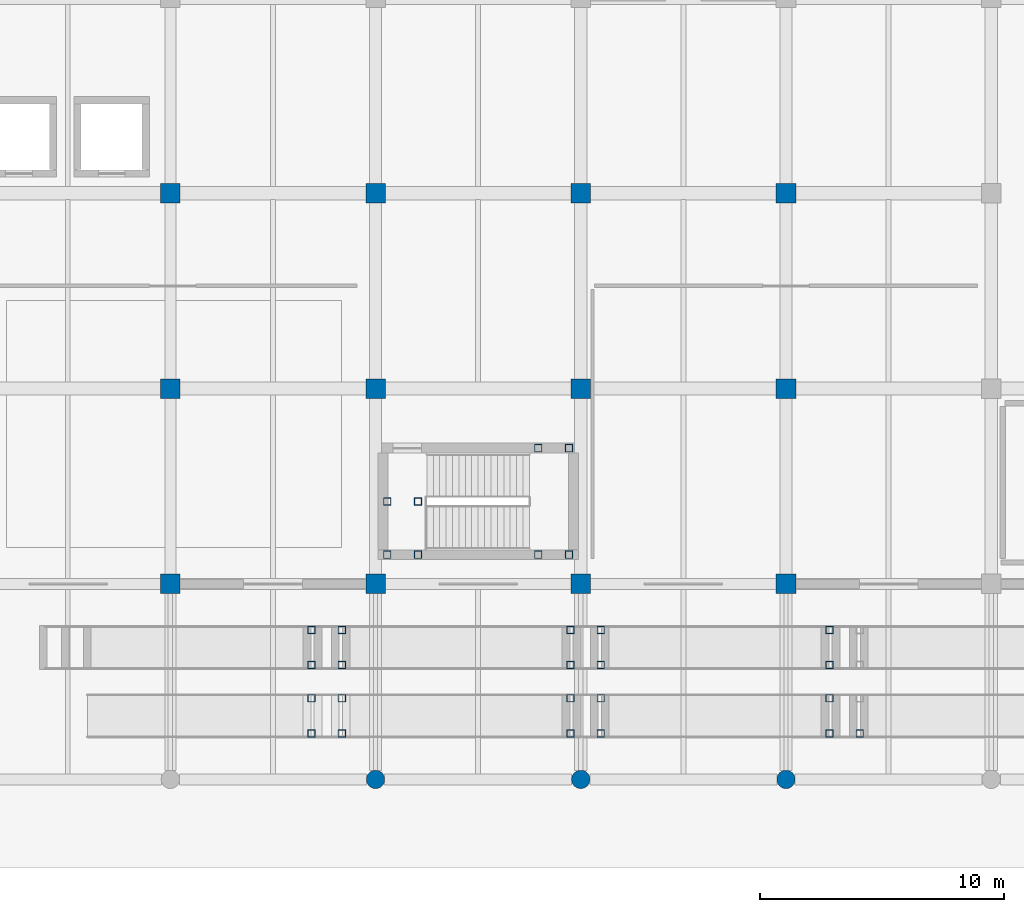
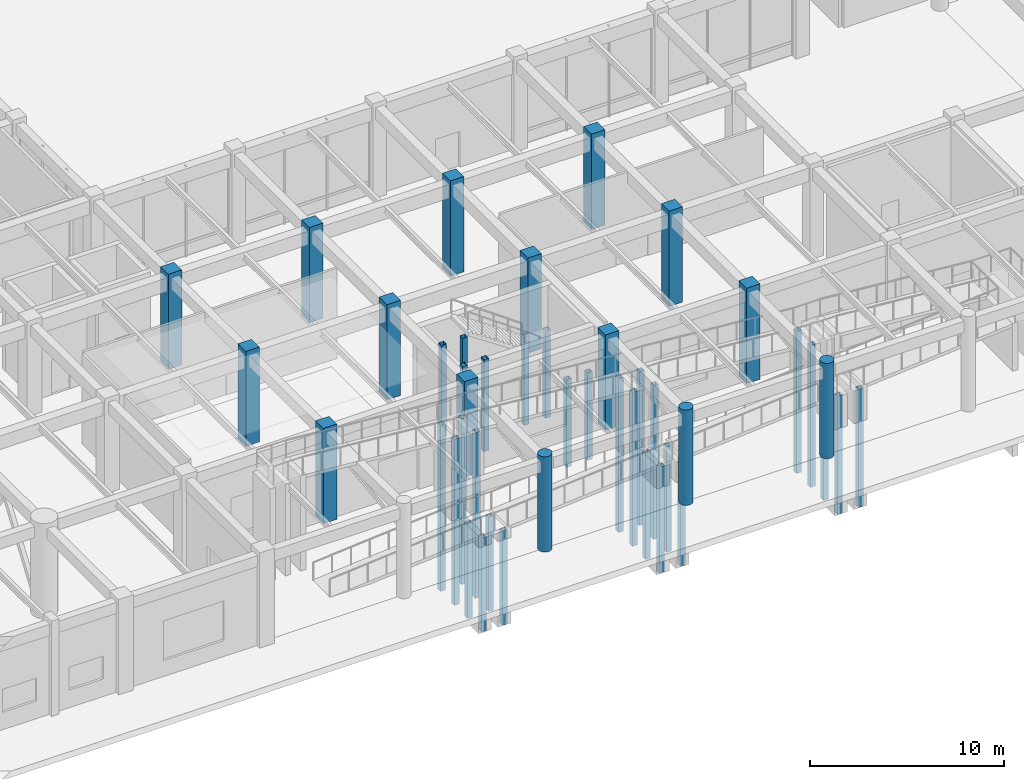
# One storey, part 5 of 76: 44 columns.
"""IFC4 building model written with IfcOpenShell, lengths in metres."""

from ifc_helpers import new_model, si_unit, direction, frame, origin, origin_2d, place, context, subcontext, project, spatial, rectangle, hollow_rectangle, circle, extrude, material, material_profile, profile_set, type_object, element, save


model = new_model("IFC4")

# Units and contexts
model_context = context("Model", 3, precision=1e-05, world=origin(), true_north=direction((0.0, 1.0)))
body_context = subcontext(model_context, "Body", "Model", "MODEL_VIEW")
ifc_project = project(units=[si_unit("LENGTHUNIT", "METRE"), si_unit("AREAUNIT", "SQUARE_METRE"), si_unit("VOLUMEUNIT", "CUBIC_METRE"), si_unit("PLANEANGLEUNIT", "RADIAN"), si_unit("MASSUNIT", "GRAM", prefix="KILO")], contexts=[model_context])

# Site, building, storey
site_placement = place(None, origin())
site = spatial("IfcSite", under=ifc_project, at=site_placement, CompositionType="ELEMENT")
building_placement = place(site_placement, origin())
building = spatial("IfcBuilding", under=site, at=building_placement, Name="Naruveol Harbour Congress Hotel", CompositionType="ELEMENT")
storey_placement = place(building_placement, origin())
storey = spatial("IfcBuildingStorey", under=building, at=storey_placement, Name="L00", CompositionType="ELEMENT", Elevation=0.0)

# Columns
ifc_material_1 = material(Name="Concrete C50/60", Category="concrete")
ifc_material_profile_1 = material_profile(ifc_material_1, circle(Radius=0.375, at=origin_2d()), Name="RC-D750")
ifc_profile_set_1 = profile_set([ifc_material_profile_1], Name="Concrete C50/60")
column_type_1 = type_object("IfcColumnType", Name="RC COLONNADE COLUMN D750", PredefinedType="COLUMN", material=ifc_profile_set_1)
for number, where, z_axis, x_axis, name in (
    (1, (75.60009765625, 0.0, 0.0), (0.0, 0.0, 1.0), (1.0, 0.0, 0.0), "Column C-CD750 L00 (75.6,0.0)"),
    (2, (84.0, 0.0, 0.0), (0.0, 0.0, 1.0), (1.0, 0.0, 0.0), "Column C-CD750 L00 (84.0,0.0)"),
    (3, (92.39990234375, 0.0, 0.0), (0.0, 0.0, 1.0), (1.0, 0.0, 0.0), "Column C-CD750 L00 (92.4,0.0)"),
):
    element("IfcColumn", number, at=place(storey_placement, frame(where, z_axis=z_axis, x_axis=x_axis)), inside=storey, type_object=column_type_1, Name=name, PredefinedType="COLUMN", context=body_context, shape_type="SweptSolid", body=[
        extrude(circle(Radius=0.375, at=origin_2d()), origin(), (0.0, 0.0, 1.0), 6.0),
    ])
ifc_material_2 = material(Name="Concrete C50/60", Category="concrete")
ifc_material_profile_2 = material_profile(ifc_material_2, rectangle(XDim=0.800048828125, YDim=0.800048828125, at=origin_2d()), Name="RC-800x800")
ifc_profile_set_2 = profile_set([ifc_material_profile_2], Name="Concrete C50/60")
column_type_2 = type_object("IfcColumnType", Name="RC PODIUM COLUMN 800X800", PredefinedType="COLUMN", material=ifc_profile_set_2)
for number, where, z_axis, x_axis, name in (
    (4, (67.199951171875, 8.0, 0.0), (0.0, 0.0, 1.0), (1.0, 0.0, 0.0), "Column C-800 L00 (67.2,8.0)"),
    (5, (67.199951171875, 16.0, 0.0), (0.0, 0.0, 1.0), (1.0, 0.0, 0.0), "Column C-800 L00 (67.2,16.0)"),
    (6, (67.199951171875, 24.0, 0.0), (0.0, 0.0, 1.0), (1.0, 0.0, 0.0), "Column C-800 L00 (67.2,24.0)"),
    (7, (75.60009765625, 8.0, 0.0), (0.0, 0.0, 1.0), (1.0, 0.0, 0.0), "Column C-800 L00 (75.6,8.0)"),
    (8, (75.60009765625, 16.0, 0.0), (0.0, 0.0, 1.0), (1.0, 0.0, 0.0), "Column C-800 L00 (75.6,16.0)"),
    (9, (75.60009765625, 24.0, 0.0), (0.0, 0.0, 1.0), (1.0, 0.0, 0.0), "Column C-800 L00 (75.6,24.0)"),
    (10, (84.0, 8.0, 0.0), (0.0, 0.0, 1.0), (1.0, 0.0, 0.0), "Column C-800 L00 (84.0,8.0)"),
    (11, (84.0, 16.0, 0.0), (0.0, 0.0, 1.0), (1.0, 0.0, 0.0), "Column C-800 L00 (84.0,16.0)"),
    (12, (84.0, 24.0, 0.0), (0.0, 0.0, 1.0), (1.0, 0.0, 0.0), "Column C-800 L00 (84.0,24.0)"),
    (13, (92.39990234375, 8.0, 0.0), (0.0, 0.0, 1.0), (1.0, 0.0, 0.0), "Column C-800 L00 (92.4,8.0)"),
    (14, (92.39990234375, 16.0, 0.0), (0.0, 0.0, 1.0), (1.0, 0.0, 0.0), "Column C-800 L00 (92.4,16.0)"),
    (15, (92.39990234375, 24.0, 0.0), (0.0, 0.0, 1.0), (1.0, 0.0, 0.0), "Column C-800 L00 (92.4,24.0)"),
):
    element("IfcColumn", number, at=place(storey_placement, frame(where, z_axis=z_axis, x_axis=x_axis)), inside=storey, type_object=column_type_2, Name=name, PredefinedType="COLUMN", context=body_context, shape_type="SweptSolid", body=[
        extrude(rectangle(XDim=0.800048828125, YDim=0.800048828125, at=origin_2d()), origin(), (0.0, 0.0, 1.0), 6.0),
    ])
ifc_material_3 = material(Name="Steel SN490", Category="steel")
ifc_material_profile_3 = material_profile(ifc_material_3, hollow_rectangle(XDim=0.300048828125, YDim=0.300048828125, WallThickness=0.011962890625, at=origin_2d()), Name="SHS-300x300x12")
ifc_profile_set_3 = profile_set([ifc_material_profile_3], Name="Steel SN490")
column_type_3 = type_object("IfcColumnType", Name="STEEL COLONNADE POST SHS300", PredefinedType="COLUMN", material=ifc_profile_set_3)
for number, where, z_axis, x_axis, name in (
    (16, (72.97998046875, 1.8798828125, -5.39990234375), (0.0, 0.0, 1.0), (1.0, 0.0, 0.0), "Ramp landing corner post #1"),
    (17, (72.97998046875, 3.320068359375, -5.39990234375), (0.0, 0.0, 1.0), (1.0, 0.0, 0.0), "Ramp landing corner post #2"),
    (18, (74.219970703125, 1.8798828125, -5.39990234375), (0.0, 0.0, 1.0), (1.0, 0.0, 0.0), "Ramp landing corner post #3"),
    (19, (74.219970703125, 3.320068359375, -5.39990234375), (0.0, 0.0, 1.0), (1.0, 0.0, 0.0), "Ramp landing corner post #4"),
):
    element("IfcColumn", number, at=place(storey_placement, frame(where, z_axis=z_axis, x_axis=x_axis)), inside=storey, type_object=column_type_3, Name=name, PredefinedType="COLUMN", context=body_context, shape_type="SweptSolid", body=[
        extrude(hollow_rectangle(XDim=0.300048828125, YDim=0.300048828125, WallThickness=0.011962890625, at=origin_2d()), origin(), (0.0, 0.0, 1.0), 5.949951171875),
    ])
for number, where, z_axis, x_axis, name in (
    (20, (83.580078125, 1.8798828125, -5.39990234375), (0.0, 0.0, 1.0), (1.0, 0.0, 0.0), "Ramp landing corner post #5"),
    (21, (83.580078125, 3.320068359375, -5.39990234375), (0.0, 0.0, 1.0), (1.0, 0.0, 0.0), "Ramp landing corner post #6"),
    (22, (84.820068359375, 1.8798828125, -5.39990234375), (0.0, 0.0, 1.0), (1.0, 0.0, 0.0), "Ramp landing corner post #7"),
    (23, (84.820068359375, 3.320068359375, -5.39990234375), (0.0, 0.0, 1.0), (1.0, 0.0, 0.0), "Ramp landing corner post #8"),
):
    element("IfcColumn", number, at=place(storey_placement, frame(where, z_axis=z_axis, x_axis=x_axis)), inside=storey, type_object=column_type_3, Name=name, PredefinedType="COLUMN", context=body_context, shape_type="SweptSolid", body=[
        extrude(hollow_rectangle(XDim=0.300048828125, YDim=0.300048828125, WallThickness=0.011962890625, at=origin_2d()), origin(), (0.0, 0.0, 1.0), 6.699951171875),
    ])
for number, where, z_axis, x_axis, name in (
    (24, (94.179931640625, 1.8798828125, -5.39990234375), (0.0, 0.0, 1.0), (1.0, 0.0, 0.0), "Ramp landing corner post #9"),
    (25, (94.179931640625, 3.320068359375, -5.39990234375), (0.0, 0.0, 1.0), (1.0, 0.0, 0.0), "Ramp landing corner post #10"),
    (26, (95.419921875, 1.8798828125, -5.39990234375), (0.0, 0.0, 1.0), (1.0, 0.0, 0.0), "Ramp landing corner post #11"),
):
    element("IfcColumn", number, at=place(storey_placement, frame(where, z_axis=z_axis, x_axis=x_axis)), inside=storey, type_object=column_type_3, Name=name, PredefinedType="COLUMN", context=body_context, shape_type="SweptSolid", body=[
        extrude(hollow_rectangle(XDim=0.300048828125, YDim=0.300048828125, WallThickness=0.011962890625, at=origin_2d()), origin(), (0.0, 0.0, 1.0), 7.449951171875),
    ])
for number, where, z_axis, x_axis, name in (
    (27, (94.179931640625, 4.679931640625, -5.39990234375), (0.0, 0.0, 1.0), (1.0, 0.0, 0.0), "Ramp landing corner post #13"),
    (28, (94.179931640625, 6.1201171875, -5.39990234375), (0.0, 0.0, 1.0), (1.0, 0.0, 0.0), "Ramp landing corner post #14"),
):
    element("IfcColumn", number, at=place(storey_placement, frame(where, z_axis=z_axis, x_axis=x_axis)), inside=storey, type_object=column_type_3, Name=name, PredefinedType="COLUMN", context=body_context, shape_type="SweptSolid", body=[
        extrude(hollow_rectangle(XDim=0.300048828125, YDim=0.300048828125, WallThickness=0.011962890625, at=origin_2d()), origin(), (0.0, 0.0, 1.0), 8.949951171875),
    ])
for number, where, z_axis, x_axis, name in (
    (29, (83.580078125, 4.679931640625, -5.39990234375), (0.0, 0.0, 1.0), (1.0, 0.0, 0.0), "Ramp landing corner post #17"),
    (30, (83.580078125, 6.1201171875, -5.39990234375), (0.0, 0.0, 1.0), (1.0, 0.0, 0.0), "Ramp landing corner post #18"),
    (31, (84.820068359375, 4.679931640625, -5.39990234375), (0.0, 0.0, 1.0), (1.0, 0.0, 0.0), "Ramp landing corner post #19"),
    (32, (84.820068359375, 6.1201171875, -5.39990234375), (0.0, 0.0, 1.0), (1.0, 0.0, 0.0), "Ramp landing corner post #20"),
):
    element("IfcColumn", number, at=place(storey_placement, frame(where, z_axis=z_axis, x_axis=x_axis)), inside=storey, type_object=column_type_3, Name=name, PredefinedType="COLUMN", context=body_context, shape_type="SweptSolid", body=[
        extrude(hollow_rectangle(XDim=0.300048828125, YDim=0.300048828125, WallThickness=0.011962890625, at=origin_2d()), origin(), (0.0, 0.0, 1.0), 9.699951171875),
    ])
for number, where, z_axis, x_axis, name in (
    (33, (72.97998046875, 4.679931640625, -5.39990234375), (0.0, 0.0, 1.0), (1.0, 0.0, 0.0), "Ramp landing corner post #21"),
    (34, (72.97998046875, 6.1201171875, -5.39990234375), (0.0, 0.0, 1.0), (1.0, 0.0, 0.0), "Ramp landing corner post #22"),
    (35, (74.219970703125, 4.679931640625, -5.39990234375), (0.0, 0.0, 1.0), (1.0, 0.0, 0.0), "Ramp landing corner post #23"),
    (36, (74.219970703125, 6.1201171875, -5.39990234375), (0.0, 0.0, 1.0), (1.0, 0.0, 0.0), "Ramp landing corner post #24"),
):
    element("IfcColumn", number, at=place(storey_placement, frame(where, z_axis=z_axis, x_axis=x_axis)), inside=storey, type_object=column_type_3, Name=name, PredefinedType="COLUMN", context=body_context, shape_type="SweptSolid", body=[
        extrude(hollow_rectangle(XDim=0.300048828125, YDim=0.300048828125, WallThickness=0.011962890625, at=origin_2d()), origin(), (0.0, 0.0, 1.0), 10.449951171875),
    ])
for number, where, z_axis, x_axis, name in (
    (37, (76.080078125, 9.199951171875, 0.0), (0.0, 0.0, 1.0), (1.0, 0.0, 0.0), "Stair landing support post ST10W #458"),
    (38, (76.080078125, 11.3798828125, 0.0), (0.0, 0.0, 1.0), (1.0, 0.0, 0.0), "Stair landing support post ST10W #462"),
    (39, (77.340087890625, 9.199951171875, 0.0), (0.0, 0.0, 1.0), (1.0, 0.0, 0.0), "Stair landing support post ST10W #466"),
    (40, (77.340087890625, 11.3798828125, 0.0), (0.0, 0.0, 1.0), (1.0, 0.0, 0.0), "Stair landing support post ST10W #470"),
):
    element("IfcColumn", number, at=place(storey_placement, frame(where, z_axis=z_axis, x_axis=x_axis)), inside=storey, type_object=column_type_3, Name=name, PredefinedType="COLUMN", context=body_context, shape_type="SweptSolid", body=[
        extrude(hollow_rectangle(XDim=0.300048828125, YDim=0.300048828125, WallThickness=0.011962890625, at=origin_2d()), origin(), (0.0, 0.0, 1.0), 5.820068359375),
    ])
for number, where, z_axis, x_axis, name in (
    (41, (82.260009765625, 9.199951171875, -2.699951171875), (0.0, 0.0, 1.0), (1.0, 0.0, 0.0), "Stair landing support post ST10E #474"),
    (42, (82.260009765625, 13.56005859375, -2.699951171875), (0.0, 0.0, 1.0), (1.0, 0.0, 0.0), "Stair landing support post ST10E #478"),
    (43, (83.52001953125, 9.199951171875, -2.699951171875), (0.0, 0.0, 1.0), (1.0, 0.0, 0.0), "Stair landing support post ST10E #482"),
    (44, (83.52001953125, 13.56005859375, -2.699951171875), (0.0, 0.0, 1.0), (1.0, 0.0, 0.0), "Stair landing support post ST10E #486"),
):
    element("IfcColumn", number, at=place(storey_placement, frame(where, z_axis=z_axis, x_axis=x_axis)), inside=storey, type_object=column_type_3, Name=name, PredefinedType="COLUMN", context=body_context, shape_type="SweptSolid", body=[
        extrude(hollow_rectangle(XDim=0.300048828125, YDim=0.300048828125, WallThickness=0.011962890625, at=origin_2d()), origin(), (0.0, 0.0, 1.0), 5.52001953125),
    ])

save(model, "model.ifc")
